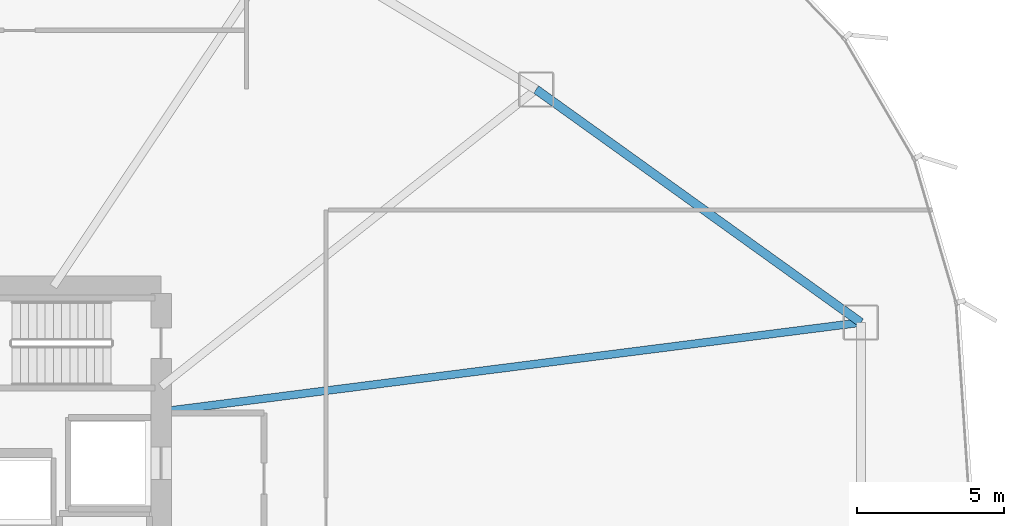
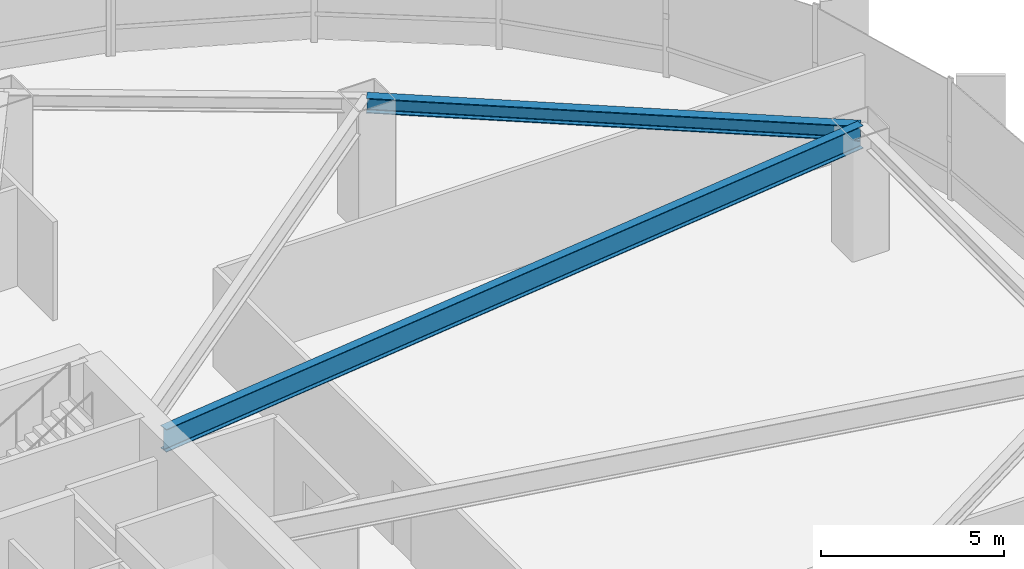
# One storey, part 20 of 34: 2 beams.
"""IFC4 building model written with IfcOpenShell, lengths in metres."""

from ifc_helpers import new_model, si_unit, direction, frame, origin, origin_2d, place, context, subcontext, project, spatial, i_section, extrude, source, transform, mapped, material, material_profile, profile_set, type_object, element, save


model = new_model("IFC4")

# Units and contexts
model_context = context("Model", 3, precision=1e-05, world=origin(), true_north=direction((0.0, 1.0)))
body_context = subcontext(model_context, "Body", "Model", "MODEL_VIEW")
ifc_project = project(units=[si_unit("LENGTHUNIT", "METRE"), si_unit("AREAUNIT", "SQUARE_METRE"), si_unit("VOLUMEUNIT", "CUBIC_METRE"), si_unit("PLANEANGLEUNIT", "RADIAN"), si_unit("MASSUNIT", "GRAM", prefix="KILO"), si_unit("THERMODYNAMICTEMPERATUREUNIT", "KELVIN")], contexts=[model_context])

# Site, building, storey
site_placement = place(None, origin())
site = spatial("IfcSite", under=ifc_project, at=site_placement, CompositionType="ELEMENT")
building_placement = place(site_placement, origin())
building = spatial("IfcBuilding", under=site, at=building_placement, Name="Kethvar Cultural Tower", CompositionType="ELEMENT")
storey_placement = place(building_placement, frame((0.0, 0.0, 19.60009765625)))
storey = spatial("IfcBuildingStorey", under=building, at=storey_placement, Name="L04", CompositionType="ELEMENT", Elevation=19.60009765625)

# Beams
ifc_material = material(Name="Steel S355J2", Category="steel")
ifc_material_profile_1 = material_profile(ifc_material, i_section(OverallWidth=0.300048828125, OverallDepth=0.5, WebThickness=0.014404296875, FlangeThickness=0.028076171875, FilletRadius=0.027099609375, at=origin_2d()), Name="Steel S355J2 — HEB500")
ifc_profile_set_1 = profile_set([ifc_material_profile_1], Name="Steel S355J2 — HEB500")
beam_type_1 = type_object("IfcBeamType", Name="BM-SP500", PredefinedType="SPANDREL", material=ifc_profile_set_1)
shared_shape_1 = source(origin(), body_context, "Body", "SweptSolid", [
    extrude(i_section(OverallWidth=0.300048828125, OverallDepth=0.5, WebThickness=0.014404296875, FlangeThickness=0.028076171875, FilletRadius=0.027099609375, at=origin_2d()), origin(), (0.0, 0.0, 1.0), 13.5712890625),
])
beam_1_placement = place(storey_placement, frame((79.362060546875, 34.277099609375, 3.827880859375), z_axis=(-0.812419874207, 0.583072849645, 0.0), x_axis=(-0.583072849645, -0.812419874207, 0.0)))
element("IfcBeam", 1, at=beam_1_placement, inside=storey, type_object=beam_type_1, Name="L04 Podium Ring Beam 01", PredefinedType="SPANDREL", context=body_context, shape_type="MappedRepresentation", body=[
    mapped(shared_shape_1, transform((0.0, 0.0, 0.0), scale=1.0)),
])
ifc_material_profile_2 = material_profile(ifc_material, i_section(OverallWidth=0.26708984375, OverallDepth=0.761962890625, WebThickness=0.014404296875, FlangeThickness=0.021484375, FilletRadius=0.01708984375, at=origin_2d()), Name="Steel S355J2 — IPE750x173")
ifc_profile_set_2 = profile_set([ifc_material_profile_2], Name="Steel S355J2 — IPE750x173")
beam_type_2 = type_object("IfcBeamType", Name="BM-IPE750", PredefinedType="BEAM", material=ifc_profile_set_2)
shared_shape_2 = source(origin(), body_context, "Body", "SweptSolid", [
    extrude(i_section(OverallWidth=0.26708984375, OverallDepth=0.761962890625, WebThickness=0.014404296875, FlangeThickness=0.021484375, FilletRadius=0.01708984375, at=origin_2d()), origin(), (0.0, 0.0, 1.0), 23.9541015625),
])
beam_2_placement = place(storey_placement, frame((55.60009765625, 31.25, 3.697021484375), z_axis=(0.991983004647, 0.126371351546, 0.0), x_axis=(-0.126371351546, 0.991983004647, 0.0)))
element("IfcBeam", 2, at=beam_2_placement, inside=storey, type_object=beam_type_2, Name="L04 Podium Radial Girder 01", PredefinedType="BEAM", context=body_context, shape_type="MappedRepresentation", body=[
    mapped(shared_shape_2, transform((0.0, 0.0, 0.0), scale=1.0)),
])

save(model, "model.ifc")
